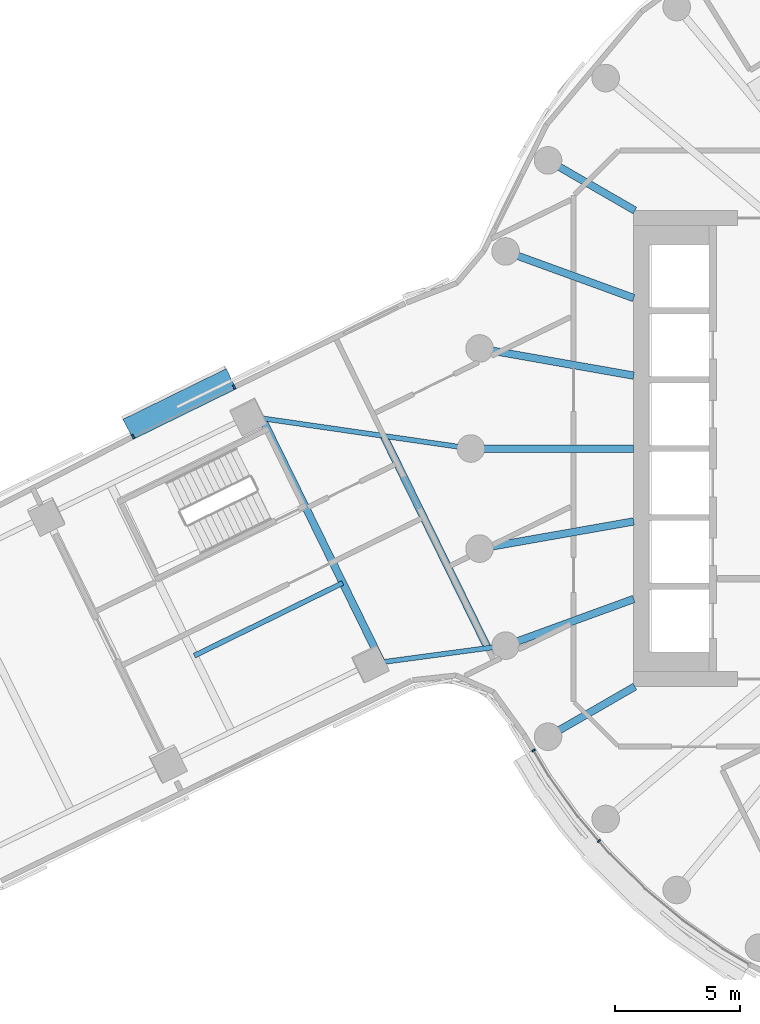
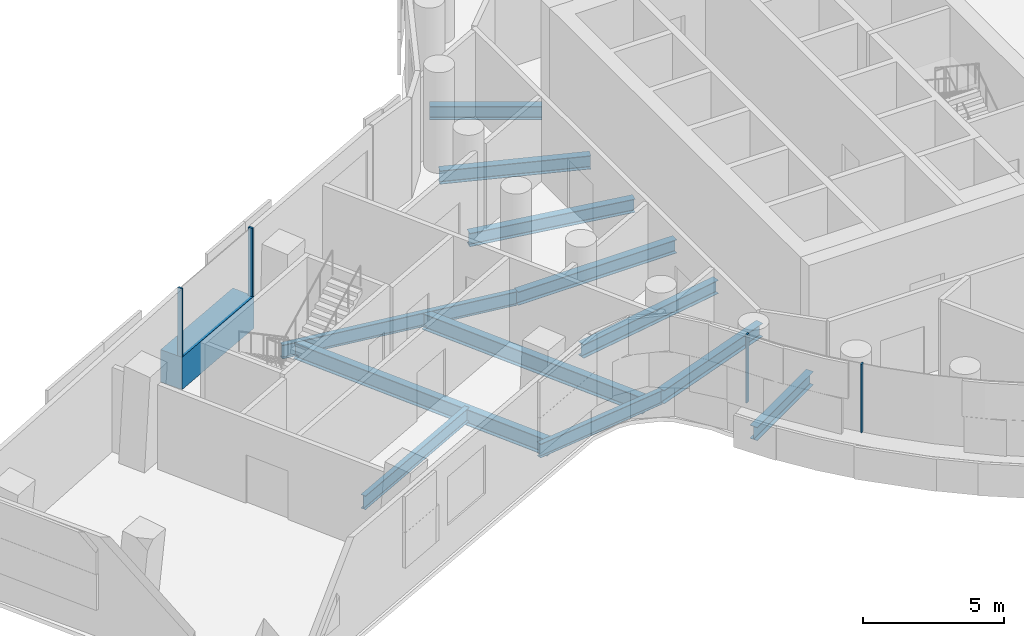
# One storey, part 5 of 23: 12 beams, 5 members, 2 elements without a shape of their own.
"""IFC4 building model written with IfcOpenShell, lengths in metres."""

from ifc_helpers import new_model, si_unit, direction, frame, origin, origin_2d, place, context, subcontext, project, spatial, polyline, rectangle, i_section, outline, extrude, material, layer, layer_set, material_profile, profile_set, type_object, element, aggregate, save


model = new_model("IFC4")

# Units and contexts
model_context = context("Model", 3, precision=1e-05, world=origin(), true_north=direction((0.0, 1.0)))
body_context = subcontext(model_context, "Body", "Model", "MODEL_VIEW")
ifc_project = project(units=[si_unit("LENGTHUNIT", "METRE"), si_unit("AREAUNIT", "SQUARE_METRE"), si_unit("VOLUMEUNIT", "CUBIC_METRE"), si_unit("PLANEANGLEUNIT", "RADIAN"), si_unit("MASSUNIT", "GRAM", prefix="KILO")], contexts=[model_context])

# Site, building, storey
site_placement = place(None, origin())
site = spatial("IfcSite", under=ifc_project, at=site_placement, CompositionType="ELEMENT")
building_placement = place(site_placement, origin())
building = spatial("IfcBuilding", under=site, at=building_placement, Name="Tamarind Cross Interchange Tower", CompositionType="ELEMENT")
storey_placement = place(building_placement, frame((0.0, 0.0, 128.5)))
storey = spatial("IfcBuildingStorey", under=building, at=storey_placement, Name="L31", CompositionType="ELEMENT", Elevation=128.5)

# Beams
ifc_material_1 = material(Name="Steel Q355B", Category="steel")
ifc_material_profile_1 = material_profile(ifc_material_1, i_section(OverallWidth=0.300048828125, OverallDepth=0.58203125, WebThickness=0.011962890625, FlangeThickness=0.01708984375, FilletRadius=0.01806640625, at=origin_2d()), Name="HM 582x300x12x17")
ifc_profile_set_1 = profile_set([ifc_material_profile_1], Name="Steel Q355B")
beam_type_1 = type_object("IfcBeamType", Name="Composite beam HM 582x300x12x17 Q355B", PredefinedType="BEAM", material=ifc_profile_set_1)
beam_1_placement = place(storey_placement, frame((-19.918701171875, 11.5, -0.470947265625), z_axis=(0.866026010844, -0.49999894854, 0.0), x_axis=(0.49999894854, 0.866026010844, 0.0)))
element("IfcBeam", 1, at=beam_1_placement, inside=storey, type_object=beam_type_1, Name="Beam HH15", PredefinedType="BEAM", context=body_context, shape_type="SweptSolid", body=[
    extrude(i_section(OverallWidth=0.300048828125, OverallDepth=0.58203125, WebThickness=0.011962890625, FlangeThickness=0.01708984375, FilletRadius=0.01806640625, at=origin_2d()), origin(), (0.0, 0.0, 1.0), 4.0),
])
beam_2_placement = place(storey_placement, frame((-21.613037109375, 7.866455078125, -0.470947265625), z_axis=(0.939701685589, -0.341995236956, 0.0), x_axis=(0.341995236956, 0.939701685589, 0.0)))
element("IfcBeam", 2, at=beam_2_placement, inside=storey, type_object=beam_type_1, Name="Beam HH16", PredefinedType="BEAM", context=body_context, shape_type="SweptSolid", body=[
    extrude(i_section(OverallWidth=0.300048828125, OverallDepth=0.58203125, WebThickness=0.011962890625, FlangeThickness=0.01708984375, FilletRadius=0.01806640625, at=origin_2d()), origin(), (0.0, 0.0, 1.0), 5.441162109375),
])
beam_3_placement = place(storey_placement, frame((-22.650634765625, 3.993896484375, -0.470947265625), z_axis=(0.984809127561, -0.173640382036, 0.0), x_axis=(0.173640382036, 0.984809127561, 0.0)))
element("IfcBeam", 3, at=beam_3_placement, inside=storey, type_object=beam_type_1, Name="Beam HH17", PredefinedType="BEAM", context=body_context, shape_type="SweptSolid", body=[
    extrude(i_section(OverallWidth=0.300048828125, OverallDepth=0.58203125, WebThickness=0.011962890625, FlangeThickness=0.01708984375, FilletRadius=0.01806640625, at=origin_2d()), origin(), (0.0, 0.0, 1.0), 6.24560546875),
])
beam_4_placement = place(storey_placement, frame((-23.0, 0.0, -0.470947265625), z_axis=(1.0, 0.0, 0.0), x_axis=(0.0, 1.0, 0.0)))
element("IfcBeam", 4, at=beam_4_placement, inside=storey, type_object=beam_type_1, Name="Beam HH18", PredefinedType="BEAM", context=body_context, shape_type="SweptSolid", body=[
    extrude(i_section(OverallWidth=0.300048828125, OverallDepth=0.58203125, WebThickness=0.011962890625, FlangeThickness=0.01708984375, FilletRadius=0.01806640625, at=origin_2d()), origin(), (0.0, 0.0, 1.0), 6.5),
])
beam_5_placement = place(storey_placement, frame((-22.650634765625, -3.993896484375, -0.470947265625), z_axis=(0.984809127561, 0.173640382036, 0.0), x_axis=(-0.173640382036, 0.984809127561, 0.0)))
element("IfcBeam", 5, at=beam_5_placement, inside=storey, type_object=beam_type_1, Name="Beam HH19", PredefinedType="BEAM", context=body_context, shape_type="SweptSolid", body=[
    extrude(i_section(OverallWidth=0.300048828125, OverallDepth=0.58203125, WebThickness=0.011962890625, FlangeThickness=0.01708984375, FilletRadius=0.01806640625, at=origin_2d()), origin(), (0.0, 0.0, 1.0), 6.24560546875),
])
beam_6_placement = place(storey_placement, frame((-21.613037109375, -7.866455078125, -0.470947265625), z_axis=(0.939701685589, 0.341995236956, 0.0), x_axis=(-0.341995236956, 0.939701685589, 0.0)))
element("IfcBeam", 6, at=beam_6_placement, inside=storey, type_object=beam_type_1, Name="Beam HH20", PredefinedType="BEAM", context=body_context, shape_type="SweptSolid", body=[
    extrude(i_section(OverallWidth=0.300048828125, OverallDepth=0.58203125, WebThickness=0.011962890625, FlangeThickness=0.01708984375, FilletRadius=0.01806640625, at=origin_2d()), origin(), (0.0, 0.0, 1.0), 5.441162109375),
])
beam_7_placement = place(storey_placement, frame((-19.918701171875, -11.5, -0.470947265625), z_axis=(0.866026010844, 0.49999894854, 0.0), x_axis=(-0.49999894854, 0.866026010844, 0.0)))
element("IfcBeam", 7, at=beam_7_placement, inside=storey, type_object=beam_type_1, Name="Beam HH21", PredefinedType="BEAM", context=body_context, shape_type="SweptSolid", body=[
    extrude(i_section(OverallWidth=0.300048828125, OverallDepth=0.58203125, WebThickness=0.011962890625, FlangeThickness=0.01708984375, FilletRadius=0.01806640625, at=origin_2d()), origin(), (0.0, 0.0, 1.0), 4.0),
])
ifc_material_profile_2 = material_profile(ifc_material_1, i_section(OverallWidth=0.199951171875, OverallDepth=0.60009765625, WebThickness=0.010986328125, FlangeThickness=0.01708984375, FilletRadius=0.012939453125, at=origin_2d()), Name="HN 600x200x11x17")
ifc_profile_set_2 = profile_set([ifc_material_profile_2], Name="Steel Q355B")
beam_type_2 = type_object("IfcBeamType", Name="Composite beam HN 600x200x11x17 Q355B", PredefinedType="BEAM", material=ifc_profile_set_2)
beam_8_placement = place(storey_placement, frame((-31.873779296875, 1.2841796875, -0.47998046875), z_axis=(0.989690265802, -0.14322422203, 0.0), x_axis=(0.14322422203, 0.989690265802, 0.0)))
element("IfcBeam", 8, at=beam_8_placement, inside=storey, type_object=beam_type_2, Name="Beam W-linkem", PredefinedType="BEAM", context=body_context, shape_type="SweptSolid", body=[
    extrude(i_section(OverallWidth=0.199951171875, OverallDepth=0.60009765625, WebThickness=0.010986328125, FlangeThickness=0.01708984375, FilletRadius=0.012939453125, at=origin_2d()), origin(), (0.0, 0.0, 1.0), 8.96630859375),
])
beam_9_placement = place(storey_placement, frame((-27.031005859375, -8.59228515625, -0.47998046875), z_axis=(0.991145405059, 0.132780970135, 0.0), x_axis=(-0.132780970135, 0.991145405059, 0.0)))
element("IfcBeam", 9, at=beam_9_placement, inside=storey, type_object=beam_type_2, Name="Beam W-linkep", PredefinedType="BEAM", context=body_context, shape_type="SweptSolid", body=[
    extrude(i_section(OverallWidth=0.199951171875, OverallDepth=0.60009765625, WebThickness=0.010986328125, FlangeThickness=0.01708984375, FilletRadius=0.012939453125, at=origin_2d()), origin(), (0.0, 0.0, 1.0), 5.46630859375),
])
beam_10_placement = place(storey_placement, frame((-28.11279296875, -5.364013671875, -0.47998046875), z_axis=(-0.897884600077, -0.44023089958, 0.0), x_axis=(0.44023089958, -0.897884600077, 0.0)))
element("IfcBeam", 10, at=beam_10_placement, inside=storey, type_object=beam_type_2, Name="Beam W-stripp", PredefinedType="BEAM", context=body_context, shape_type="SweptSolid", body=[
    extrude(i_section(OverallWidth=0.199951171875, OverallDepth=0.60009765625, WebThickness=0.010986328125, FlangeThickness=0.01708984375, FilletRadius=0.012939453125, at=origin_2d()), origin(), (0.0, 0.0, 1.0), 6.60009765625),
])
ifc_material_profile_3 = material_profile(ifc_material_1, i_section(OverallWidth=0.300048828125, OverallDepth=0.699951171875, WebThickness=0.012939453125, FlangeThickness=0.02392578125, FilletRadius=0.01806640625, at=origin_2d()), Name="HN 700x300x13x24")
ifc_profile_set_3 = profile_set([ifc_material_profile_3], Name="Steel Q355B")
beam_type_3 = type_object("IfcBeamType", Name="Composite beam HN 700x300x13x24 Q355B", PredefinedType="BEAM", material=ifc_profile_set_3)
beam_11_placement = place(storey_placement, frame((-31.334228515625, 1.2060546875, -0.530029296875), z_axis=(0.440246918761, -0.897876745729, 0.0), x_axis=(0.897876745729, 0.440246918761, 0.0)))
element("IfcBeam", 11, at=beam_11_placement, inside=storey, type_object=beam_type_3, Name="Beam W-x298", PredefinedType="BEAM", context=body_context, shape_type="SweptSolid", body=[
    extrude(i_section(OverallWidth=0.300048828125, OverallDepth=0.699951171875, WebThickness=0.012939453125, FlangeThickness=0.02392578125, FilletRadius=0.01806640625, at=origin_2d()), origin(), (0.0, 0.0, 1.0), 10.842529296875),
])
beam_12_placement = place(storey_placement, frame((-26.47900390625, 0.50341796875, -0.530029296875), z_axis=(0.440239903935, -0.897880185205, 0.0), x_axis=(0.897880185205, 0.440239903935, 0.0)))
element("IfcBeam", 12, at=beam_12_placement, inside=storey, type_object=beam_type_3, Name="Beam W-x258", PredefinedType="BEAM", context=body_context, shape_type="SweptSolid", body=[
    extrude(i_section(OverallWidth=0.300048828125, OverallDepth=0.699951171875, WebThickness=0.012939453125, FlangeThickness=0.02392578125, FilletRadius=0.01806640625, at=origin_2d()), origin(), (0.0, 0.0, 1.0), 9.4287109375),
])

# Curtain wall, members
ifc_material_2 = material(Name="Aluminium 6063-T6", Category="aluminium")
ifc_layer_1 = layer(ifc_material_2, 0.179931640625)
ifc_layer_set_1 = layer_set([ifc_layer_1], Name="Aluminium 6063-T6")
curtain_wall_type_1 = type_object("IfcCurtainWallType", Name="Sky lobby curtain wall, fire-resisting glazing", PredefinedType="NOTDEFINED", material=ifc_layer_set_1)
curtain_wall_1_placement = place(storey_placement, origin())
curtain_wall_1 = element("IfcCurtainWall", 13, at=curtain_wall_1_placement, inside=storey, type_object=curtain_wall_type_1, Name="CWS-L31-15", PredefinedType="NOTDEFINED")
ifc_material_3 = material(Name="Aluminium and insulated spandrel panel", Category="aluminium")
member_type_1 = type_object("IfcMemberType", Name="Floor-edge blade transom", PredefinedType="USERDEFINED", material=ifc_material_3)
member_1_placement = place(storey_placement, origin())
member_1 = element("IfcMember", 14, at=member_1_placement, type_object=member_type_1, Name="CWT-L31-15-0", ObjectType="TRANSOM", PredefinedType="USERDEFINED", context=body_context, shape_type="SweptSolid", body=[
    extrude(outline(polyline([(-32.367431640625, 2.378662109375), (-36.469970703125, 0.366943359375), (-36.8916015625, 1.16259765625), (-32.759765625, 3.188720703125), (-32.367431640625, 2.378662109375)])), origin(), (0.0, 0.0, 1.0), 1.39990234375),
])
ifc_material_profile_4 = material_profile(ifc_material_2, rectangle(XDim=0.080078125, YDim=0.179931640625, at=origin_2d()), Name="Mullion CW4")
ifc_profile_set_4 = profile_set([ifc_material_profile_4], Name="Aluminium 6063-T6")
member_type_2 = type_object("IfcMemberType", Name="Mullion CW4", PredefinedType="MULLION", material=ifc_profile_set_4)
member_2_placement = place(storey_placement, frame((-32.44677734375, 2.451171875, 1.39990234375), z_axis=(0.0, 0.0, 1.0), x_axis=(-0.897873953312, -0.440252613806, 0.0)))
member_2 = element("IfcMember", 15, at=member_2_placement, type_object=member_type_2, Name="CWM-L31-15-02", PredefinedType="MULLION", context=body_context, shape_type="SweptSolid", body=[
    extrude(rectangle(XDim=0.080078125, YDim=0.179931640625, at=origin_2d()), origin(), (0.0, 0.0, 1.0), 2.960205078125),
])
member_3_placement = place(storey_placement, frame((-36.48095703125, 0.47314453125, 1.39990234375), z_axis=(0.0, 0.0, 1.0), x_axis=(-0.897873953312, -0.440252613806, 0.0)))
member_3 = element("IfcMember", 16, at=member_3_placement, type_object=member_type_2, Name="CWM-L31-15-03", PredefinedType="MULLION", context=body_context, shape_type="SweptSolid", body=[
    extrude(rectangle(XDim=0.080078125, YDim=0.179931640625, at=origin_2d()), origin(), (0.0, 0.0, 1.0), 2.960205078125),
])
aggregate(curtain_wall_1, [member_2, member_3, member_1])

ifc_layer_2 = layer(ifc_material_2, 0.14990234375)
ifc_layer_set_2 = layer_set([ifc_layer_2], Name="Aluminium 6063-T6")
curtain_wall_type_2 = type_object("IfcCurtainWallType", Name="Winter garden and crown curtain wall", PredefinedType="NOTDEFINED", material=ifc_layer_set_2)
curtain_wall_2_placement = place(storey_placement, origin())
curtain_wall_2 = element("IfcCurtainWall", 17, at=curtain_wall_2_placement, inside=storey, type_object=curtain_wall_type_2, Name="CWS-L31-02", PredefinedType="NOTDEFINED")
ifc_material_profile_5 = material_profile(ifc_material_2, rectangle(XDim=0.06005859375, YDim=0.14990234375, at=origin_2d()), Name="Mullion CW6")
ifc_profile_set_5 = profile_set([ifc_material_profile_5], Name="Aluminium 6063-T6")
member_type_3 = type_object("IfcMemberType", Name="Mullion CW6", PredefinedType="MULLION", material=ifc_profile_set_5)
member_4_placement = place(storey_placement, frame((-20.496826171875, -12.05029296875, 1.39990234375), z_axis=(0.0, 0.0, 1.0), x_axis=(0.515577308909, -0.856843065292, 0.0)))
member_4 = element("IfcMember", 18, at=member_4_placement, type_object=member_type_3, Name="CWM-L31-02-01", PredefinedType="MULLION", context=body_context, shape_type="SweptSolid", body=[
    extrude(rectangle(XDim=0.06005859375, YDim=0.14990234375, at=origin_2d()), origin(), (0.0, 0.0, 1.0), 2.960205078125),
])
member_5_placement = place(storey_placement, frame((-17.88671875, -15.666015625, 1.39990234375), z_axis=(0.0, 0.0, 1.0), x_axis=(0.64957723968, -0.760295606781, 0.0)))
member_5 = element("IfcMember", 19, at=member_5_placement, type_object=member_type_3, Name="CWM-L31-02-02", PredefinedType="MULLION", context=body_context, shape_type="SweptSolid", body=[
    extrude(rectangle(XDim=0.06005859375, YDim=0.14990234375, at=origin_2d()), origin(), (0.0, 0.0, 1.0), 2.960205078125),
])
aggregate(curtain_wall_2, [member_4, member_5])

save(model, "model.ifc")
